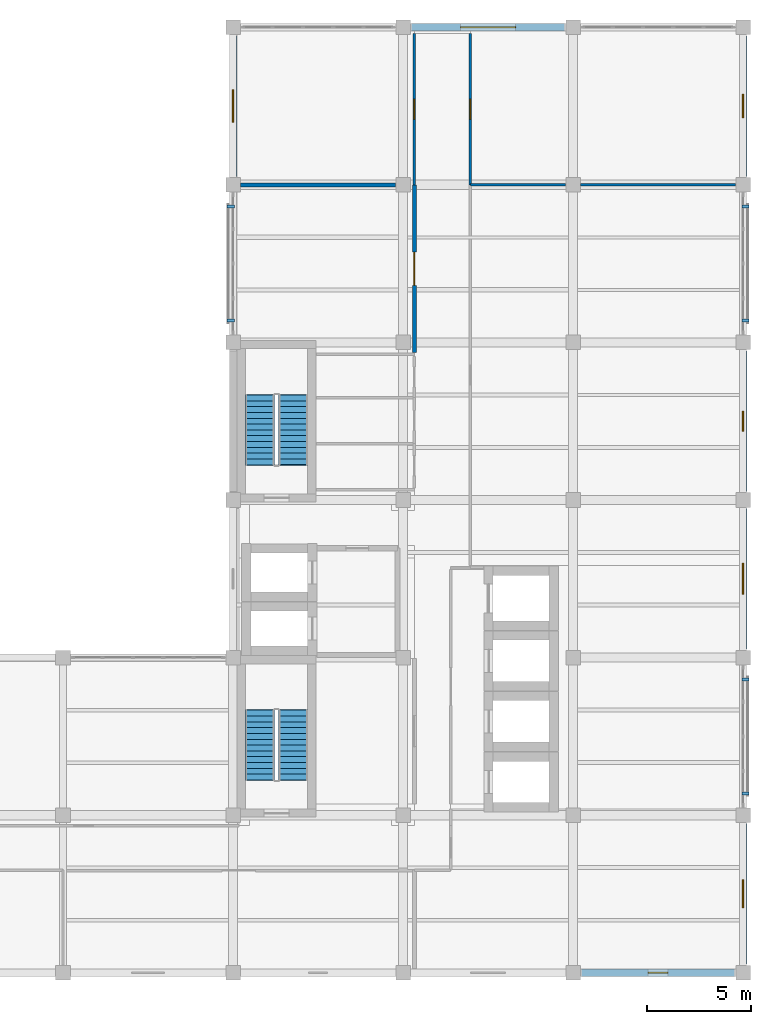
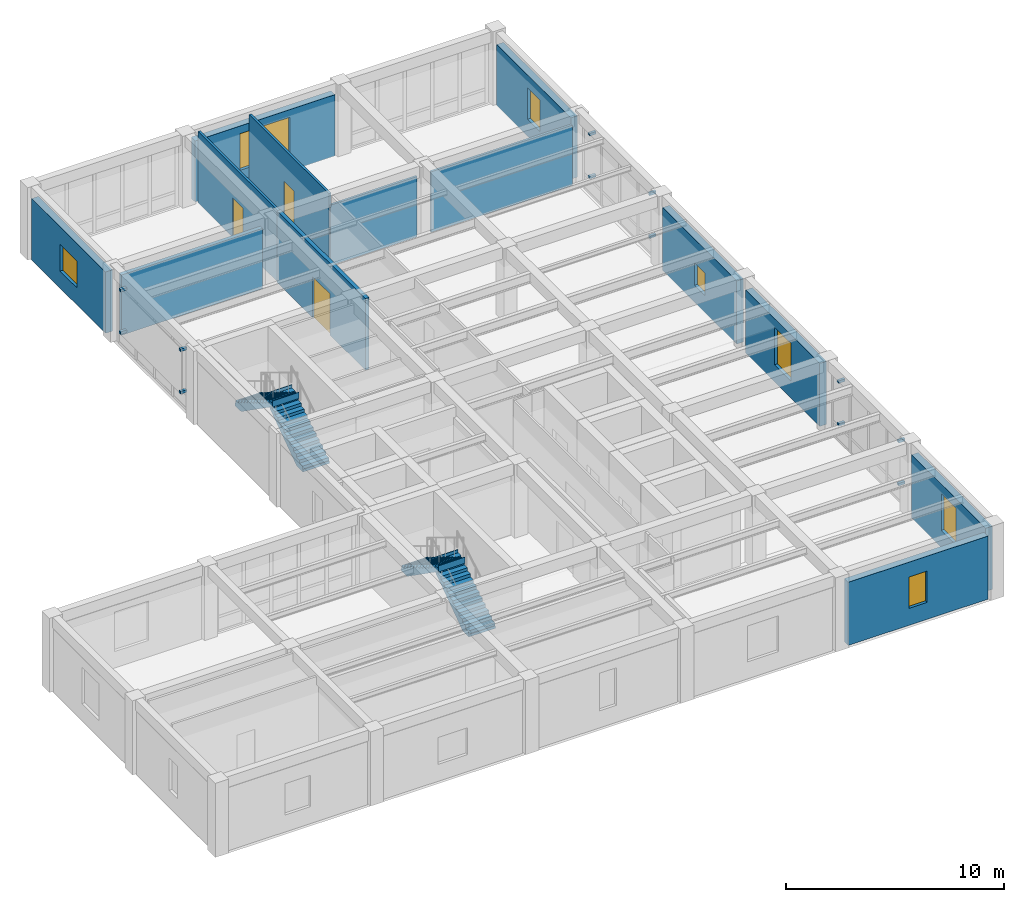
# One storey, part 9 of 13: 13 walls, 12 discrete accessories, 7 windows, 4 stair flights, 3 doors, 10 openings, 2 elements without a shape of their own.
"""IFC4 building model written with IfcOpenShell, lengths in metres."""

from ifc_helpers import new_model, si_unit, direction, frame, frame_2d, origin, origin_2d, place, context, subcontext, project, spatial, polyline, rectangle, outline, extrude, material, layer, layer_set, type_object, element, fill, aggregate, save


model = new_model("IFC4")

# Units and contexts
model_context = context("Model", 3, precision=1e-05, world=origin(), true_north=direction((0.0, 1.0)))
body_context = subcontext(model_context, "Body", "Model", "MODEL_VIEW")
ifc_project = project(units=[si_unit("LENGTHUNIT", "METRE"), si_unit("AREAUNIT", "SQUARE_METRE"), si_unit("VOLUMEUNIT", "CUBIC_METRE"), si_unit("PLANEANGLEUNIT", "RADIAN"), si_unit("MASSUNIT", "GRAM", prefix="KILO")], contexts=[model_context])

# Site, building, storey
site_placement = place(None, origin())
site = spatial("IfcSite", under=ifc_project, at=site_placement, CompositionType="ELEMENT")
building_placement = place(site_placement, origin())
building = spatial("IfcBuilding", under=site, at=building_placement, Name="Qandaris Square Conservatory and Botanical Centre", CompositionType="ELEMENT")
storey_placement = place(building_placement, frame((0.0, 0.0, 61.800048828125)))
storey = spatial("IfcBuildingStorey", under=building, at=storey_placement, Name="L14", CompositionType="ELEMENT", Elevation=61.800048828125)

# Wall, opening, window
ifc_material_1 = material(Name="Precast concrete C40/50", Category="concrete")
ifc_layer_1 = layer(ifc_material_1, 0.360107421875)
ifc_layer_set_1 = layer_set([ifc_layer_1], Name="Precast concrete C40/50")
wall_type_1 = type_object("IfcWallType", Name="Architectural Precast Cladding Wall 360mm", PredefinedType="SOLIDWALL", material=ifc_layer_set_1)
wall_1_placement = place(storey_placement, frame((156.010009765625, 16.60009765625, 0.0), z_axis=(0.0, 0.0, 1.0), x_axis=(1.0, 0.0, 0.0)))
wall_1 = element("IfcWall", 1, at=wall_1_placement, inside=storey, type_object=wall_type_1, Name="Exterior Wall EW-TWR-L14-1-5", PredefinedType="SOLIDWALL", context=body_context, shape_type="SweptSolid", body=[
    extrude(rectangle(XDim=7.3798828125, YDim=0.360107421875, at=frame_2d((3.68994140625, 0.0))), origin(), (0.0, 0.0, 1.0), 3.530029296875),
])
opening_1_placement = place(wall_1_placement, frame((3.215087890625, 0.0, 0.949951171875)))
opening_1 = element("IfcOpeningElement", 2, at=opening_1_placement, cuts=wall_1, Name="Opening WN-15", PredefinedType="OPENING", context=body_context, shape_type="SweptSolid", body=[
    extrude(rectangle(XDim=0.949951171875, YDim=1.75, at=frame_2d((0.47509765625, 0.875))), frame((0.0, 0.19189453125, 0.0), z_axis=(0.0, -1.0, 0.0), x_axis=(1.0, 0.0, 0.0)), (0.0, 0.0, 1.0), 0.384033203125),
])
ifc_material_2 = material(Name="Tempered Low-E Glass", Category="glass")
window_type_1 = type_object("IfcWindowType", Name="Solar Control Window 950x1750", PartitioningType="SINGLE_PANEL", PredefinedType="WINDOW", material=ifc_material_2)
window_1_placement = place(opening_1_placement, origin())
window_1 = element("IfcWindow", 3, at=window_1_placement, inside=storey, type_object=window_type_1, Name="Window EW-TWR-L14-1-5", OverallHeight=1.75, OverallWidth=0.949951171875, PartitioningType="SINGLE_PANEL", PredefinedType="WINDOW", context=body_context, shape_type="SweptSolid", body=[
    extrude(rectangle(XDim=0.949951171875, YDim=1.75, at=frame_2d((0.47509765625, 0.875))), frame((0.0, 0.030029296875, 0.0), z_axis=(0.0, -1.0, 0.0), x_axis=(1.0, 0.0, 0.0)), (0.0, 0.0, 1.0), 0.06005859375),
])
fill(opening_1, window_1)

wall_2_placement = place(storey_placement, frame((163.800048828125, 17.010009765625, 0.0), z_axis=(0.0, 0.0, 1.0), x_axis=(0.0, 1.0, 0.0)))
wall_2 = element("IfcWall", 4, at=wall_2_placement, inside=storey, type_object=wall_type_1, Name="Exterior Wall EW-TWR-L14-2-1", PredefinedType="SOLIDWALL", context=body_context, shape_type="SweptSolid", body=[
    extrude(rectangle(XDim=6.780029296875, YDim=0.360107421875, at=frame_2d((3.39013671875, 0.0))), origin(), (0.0, 0.0, 1.0), 3.530029296875),
])
opening_2_placement = place(wall_2_placement, frame((2.715087890625, 0.0, 0.949951171875)))
opening_2 = element("IfcOpeningElement", 5, at=opening_2_placement, cuts=wall_2, Name="Opening WN-24", PredefinedType="OPENING", context=body_context, shape_type="SweptSolid", body=[
    extrude(rectangle(XDim=1.35009765625, YDim=2.050048828125, at=frame_2d((0.675048828125, 1.02490234375))), frame((0.0, 0.19189453125, 0.0), z_axis=(0.0, -1.0, 0.0), x_axis=(1.0, 0.0, 0.0)), (0.0, 0.0, 1.0), 0.384033203125),
])
window_type_2 = type_object("IfcWindowType", Name="Solar Control Window 1350x2050", PartitioningType="SINGLE_PANEL", PredefinedType="WINDOW", material=ifc_material_2)
window_2_placement = place(opening_2_placement, origin())
window_2 = element("IfcWindow", 6, at=window_2_placement, inside=storey, type_object=window_type_2, Name="Window EW-TWR-L14-2-1", OverallHeight=2.050048828125, OverallWidth=1.35009765625, PartitioningType="SINGLE_PANEL", PredefinedType="WINDOW", context=body_context, shape_type="SweptSolid", body=[
    extrude(rectangle(XDim=1.35009765625, YDim=2.050048828125, at=frame_2d((0.675048828125, 1.02490234375))), frame((0.0, 0.030029296875, 0.0), z_axis=(0.0, -1.0, 0.0), x_axis=(1.0, 0.0, 0.0)), (0.0, 0.0, 1.0), 0.06005859375),
])
fill(opening_2, window_2)

wall_3_placement = place(storey_placement, frame((163.800048828125, 32.2099609375, 0.0), z_axis=(0.0, 0.0, 1.0), x_axis=(0.0, 1.0, 0.0)))
wall_3 = element("IfcWall", 7, at=wall_3_placement, inside=storey, type_object=wall_type_1, Name="Exterior Wall EW-TWR-L14-2-3", PredefinedType="SOLIDWALL", context=body_context, shape_type="SweptSolid", body=[
    extrude(rectangle(XDim=6.780029296875, YDim=0.360107421875, at=frame_2d((3.39013671875, 0.0))), origin(), (0.0, 0.0, 1.0), 3.530029296875),
])
opening_3_placement = place(wall_3_placement, frame((2.639892578125, 0.0, 0.949951171875)))
opening_3 = element("IfcOpeningElement", 8, at=opening_3_placement, cuts=wall_3, Name="Opening WN-02", PredefinedType="OPENING", context=body_context, shape_type="SweptSolid", body=[
    extrude(rectangle(XDim=1.5, YDim=2.10009765625, at=frame_2d((0.75, 1.050048828125))), frame((0.0, 0.19189453125, 0.0), z_axis=(0.0, -1.0, 0.0), x_axis=(1.0, 0.0, 0.0)), (0.0, 0.0, 1.0), 0.384033203125),
])
window_type_3 = type_object("IfcWindowType", Name="Deep-Set Paired Research Window 1500x2100", PartitioningType="DOUBLE_PANEL_VERTICAL", PredefinedType="WINDOW", material=ifc_material_2)
window_3_placement = place(opening_3_placement, origin())
window_3 = element("IfcWindow", 9, at=window_3_placement, inside=storey, type_object=window_type_3, Name="Window EW-TWR-L14-2-3", OverallHeight=2.10009765625, OverallWidth=1.5, PartitioningType="DOUBLE_PANEL_VERTICAL", PredefinedType="WINDOW", context=body_context, shape_type="SweptSolid", body=[
    extrude(rectangle(XDim=1.5, YDim=2.10009765625, at=frame_2d((0.75, 1.050048828125))), frame((0.0, 0.030029296875, 0.0), z_axis=(0.0, -1.0, 0.0), x_axis=(1.0, 0.0, 0.0)), (0.0, 0.0, 1.0), 0.06005859375),
])
fill(opening_3, window_3)

wall_4_placement = place(storey_placement, frame((163.800048828125, 39.81005859375, 0.0), z_axis=(0.0, 0.0, 1.0), x_axis=(0.0, 1.0, 0.0)))
wall_4 = element("IfcWall", 10, at=wall_4_placement, inside=storey, type_object=wall_type_1, Name="Exterior Wall EW-TWR-L14-2-4", PredefinedType="SOLIDWALL", context=body_context, shape_type="SweptSolid", body=[
    extrude(rectangle(XDim=6.780029296875, YDim=0.360107421875, at=frame_2d((3.39013671875, 0.0))), origin(), (0.0, 0.0, 1.0), 3.530029296875),
])
opening_4_placement = place(wall_4_placement, frame((2.9150390625, 0.0, 0.949951171875)))
opening_4 = element("IfcOpeningElement", 11, at=opening_4_placement, cuts=wall_4, Name="Opening WN-13", PredefinedType="OPENING", context=body_context, shape_type="SweptSolid", body=[
    extrude(rectangle(XDim=0.949951171875, YDim=1.25, at=frame_2d((0.47509765625, 0.625))), frame((0.0, 0.19189453125, 0.0), z_axis=(0.0, -1.0, 0.0), x_axis=(1.0, 0.0, 0.0)), (0.0, 0.0, 1.0), 0.384033203125),
])
window_type_4 = type_object("IfcWindowType", Name="Solar Control Window 950x1250", PartitioningType="SINGLE_PANEL", PredefinedType="WINDOW", material=ifc_material_2)
window_4_placement = place(opening_4_placement, origin())
window_4 = element("IfcWindow", 12, at=window_4_placement, inside=storey, type_object=window_type_4, Name="Window EW-TWR-L14-2-4", OverallHeight=1.25, OverallWidth=0.949951171875, PartitioningType="SINGLE_PANEL", PredefinedType="WINDOW", context=body_context, shape_type="SweptSolid", body=[
    extrude(rectangle(XDim=0.949951171875, YDim=1.25, at=frame_2d((0.47509765625, 0.625))), frame((0.0, 0.030029296875, 0.0), z_axis=(0.0, -1.0, 0.0), x_axis=(1.0, 0.0, 0.0)), (0.0, 0.0, 1.0), 0.06005859375),
])
fill(opening_4, window_4)

wall_5_placement = place(storey_placement, frame((163.800048828125, 55.010009765625, 0.0), z_axis=(0.0, 0.0, 1.0), x_axis=(0.0, 1.0, 0.0)))
wall_5 = element("IfcWall", 13, at=wall_5_placement, inside=storey, type_object=wall_type_1, Name="Exterior Wall EW-TWR-L14-2-6", PredefinedType="SOLIDWALL", context=body_context, shape_type="SweptSolid", body=[
    extrude(rectangle(XDim=6.780029296875, YDim=0.360107421875, at=frame_2d((3.39013671875, 0.0))), origin(), (0.0, 0.0, 1.0), 3.425048828125),
])
opening_5_placement = place(wall_5_placement, frame((2.81494140625, 0.0, 0.949951171875)))
opening_5 = element("IfcOpeningElement", 14, at=opening_5_placement, cuts=wall_5, Name="Opening WN-19", PredefinedType="OPENING", context=body_context, shape_type="SweptSolid", body=[
    extrude(rectangle(XDim=1.14990234375, YDim=1.75, at=frame_2d((0.574951171875, 0.875))), frame((0.0, 0.19189453125, 0.0), z_axis=(0.0, -1.0, 0.0), x_axis=(1.0, 0.0, 0.0)), (0.0, 0.0, 1.0), 0.384033203125),
])
window_type_5 = type_object("IfcWindowType", Name="Solar Control Window 1150x1750", PartitioningType="SINGLE_PANEL", PredefinedType="WINDOW", material=ifc_material_2)
window_5_placement = place(opening_5_placement, origin())
window_5 = element("IfcWindow", 15, at=window_5_placement, inside=storey, type_object=window_type_5, Name="Window EW-TWR-L14-2-6", OverallHeight=1.75, OverallWidth=1.14990234375, PartitioningType="SINGLE_PANEL", PredefinedType="WINDOW", context=body_context, shape_type="SweptSolid", body=[
    extrude(rectangle(XDim=1.14990234375, YDim=1.75, at=frame_2d((0.574951171875, 0.875))), frame((0.0, 0.030029296875, 0.0), z_axis=(0.0, -1.0, 0.0), x_axis=(1.0, 0.0, 0.0)), (0.0, 0.0, 1.0), 0.06005859375),
])
fill(opening_5, window_5)

wall_6_placement = place(storey_placement, frame((155.18994140625, 62.199951171875, 0.0), z_axis=(0.0, 0.0, 1.0), x_axis=(-1.0, 0.0, 0.0)))
wall_6 = element("IfcWall", 16, at=wall_6_placement, inside=storey, type_object=wall_type_1, Name="Exterior Wall EW-TWR-L14-3-2", PredefinedType="SOLIDWALL", context=body_context, shape_type="SweptSolid", body=[
    extrude(rectangle(XDim=7.3798828125, YDim=0.360107421875, at=frame_2d((3.68994140625, 0.0))), origin(), (0.0, 0.0, 1.0), 3.425048828125),
])
opening_6_placement = place(wall_6_placement, frame((2.364990234375, 0.0, 0.949951171875)))
opening_6 = element("IfcOpeningElement", 17, at=opening_6_placement, cuts=wall_6, Name="Opening WN-44", PredefinedType="OPENING", context=body_context, shape_type="SweptSolid", body=[
    extrude(rectangle(XDim=2.64990234375, YDim=2.050048828125, at=frame_2d((1.324951171875, 1.02490234375))), frame((0.0, 0.19189453125, 0.0), z_axis=(0.0, -1.0, 0.0), x_axis=(1.0, 0.0, 0.0)), (0.0, 0.0, 1.0), 0.384033203125),
])
window_type_6 = type_object("IfcWindowType", Name="Solar Control Window 2650x2050", PartitioningType="DOUBLE_PANEL_VERTICAL", PredefinedType="WINDOW", material=ifc_material_2)
window_6_placement = place(opening_6_placement, origin())
window_6 = element("IfcWindow", 18, at=window_6_placement, inside=storey, type_object=window_type_6, Name="Window EW-TWR-L14-3-2", OverallHeight=2.050048828125, OverallWidth=2.64990234375, PartitioningType="DOUBLE_PANEL_VERTICAL", PredefinedType="WINDOW", context=body_context, shape_type="SweptSolid", body=[
    extrude(rectangle(XDim=2.64990234375, YDim=2.050048828125, at=frame_2d((1.324951171875, 1.02490234375))), frame((0.0, 0.030029296875, 0.0), z_axis=(0.0, -1.0, 0.0), x_axis=(1.0, 0.0, 0.0)), (0.0, 0.0, 1.0), 0.06005859375),
])
fill(opening_6, window_6)

wall_7_placement = place(storey_placement, frame((139.199951171875, 61.7900390625, 0.0), z_axis=(0.0, 0.0, 1.0), x_axis=(0.0, -1.0, 0.0)))
wall_7 = element("IfcWall", 19, at=wall_7_placement, inside=storey, type_object=wall_type_1, Name="Exterior Wall EW-TWR-L14-4-1", PredefinedType="SOLIDWALL", context=body_context, shape_type="SweptSolid", body=[
    extrude(rectangle(XDim=6.780029296875, YDim=0.360107421875, at=frame_2d((3.39013671875, 0.0))), origin(), (0.0, 0.0, 1.0), 3.425048828125),
])
opening_7_placement = place(wall_7_placement, frame((2.614990234375, 0.0, 0.949951171875)))
opening_7 = element("IfcOpeningElement", 20, at=opening_7_placement, cuts=wall_7, Name="Opening WN-26", PredefinedType="OPENING", context=body_context, shape_type="SweptSolid", body=[
    extrude(rectangle(XDim=1.550048828125, YDim=1.5, at=frame_2d((0.77490234375, 0.75))), frame((0.0, 0.19189453125, 0.0), z_axis=(0.0, -1.0, 0.0), x_axis=(1.0, 0.0, 0.0)), (0.0, 0.0, 1.0), 0.384033203125),
])
window_type_7 = type_object("IfcWindowType", Name="Solar Control Window 1550x1500", PartitioningType="DOUBLE_PANEL_VERTICAL", PredefinedType="WINDOW", material=ifc_material_2)
window_7_placement = place(opening_7_placement, origin())
window_7 = element("IfcWindow", 21, at=window_7_placement, inside=storey, type_object=window_type_7, Name="Window EW-TWR-L14-4-1", OverallHeight=1.5, OverallWidth=1.550048828125, PartitioningType="DOUBLE_PANEL_VERTICAL", PredefinedType="WINDOW", context=body_context, shape_type="SweptSolid", body=[
    extrude(rectangle(XDim=1.550048828125, YDim=1.5, at=frame_2d((0.77490234375, 0.75))), frame((0.0, 0.030029296875, 0.0), z_axis=(0.0, -1.0, 0.0), x_axis=(1.0, 0.0, 0.0)), (0.0, 0.0, 1.0), 0.06005859375),
])
fill(opening_7, window_7)

# Wall, opening, door
ifc_material_3 = material(Name="Concrete C40/50", Category="concrete")
ifc_layer_2 = layer(ifc_material_3, 0.199951171875)
ifc_layer_set_2 = layer_set([ifc_layer_2], Name="Concrete C40/50")
wall_type_2 = type_object("IfcWallType", Name="Herbarium & Plant Compartment Wall 200mm", PredefinedType="PARTITIONING", material=ifc_layer_set_2)
wall_8_placement = place(storey_placement, frame((147.949951171875, 46.510009765625, 0.0), z_axis=(0.0, 0.0, 1.0), x_axis=(0.0, 1.0, 0.0)))
wall_8 = element("IfcWall", 22, at=wall_8_placement, inside=storey, type_object=wall_type_2, Name="Interior Partition IW-L14-0455", PredefinedType="PARTITIONING", context=body_context, shape_type="SweptSolid", body=[
    extrude(rectangle(XDim=8.090087890625, YDim=0.199951171875, at=frame_2d((4.044921875, 0.0))), origin(), (0.0, 0.0, 1.0), 4.0048828125),
])
opening_8_placement = place(wall_8_placement, frame((3.2451171875, 0.0, 0.0)))
opening_8 = element("IfcOpeningElement", 23, at=opening_8_placement, cuts=wall_8, Name="Opening D-HRB1", PredefinedType="OPENING", context=body_context, shape_type="SweptSolid", body=[
    extrude(rectangle(XDim=1.60009765625, YDim=2.300048828125, at=frame_2d((0.800048828125, 1.14990234375))), frame((0.0, 0.11181640625, 0.0), z_axis=(0.0, -1.0, 0.0), x_axis=(1.0, 0.0, 0.0)), (0.0, 0.0, 1.0), 0.223876953125),
])
ifc_material_4 = material(Name="Steel S355", Category="steel")
door_type_1 = type_object("IfcDoorType", Name="Herbarium Sealable Specimen Double Door 1600x2300", OperationType="DOUBLE_DOOR_SINGLE_SWING", PredefinedType="DOOR", material=ifc_material_4)
door_1_placement = place(opening_8_placement, origin())
door_1 = element("IfcDoor", 24, at=door_1_placement, inside=storey, type_object=door_type_1, Name="DR-0408 International Herbarium Exchange Specimen Prep Room Door", OperationType="DOUBLE_DOOR_SINGLE_SWING", OverallHeight=2.300048828125, OverallWidth=1.60009765625, PredefinedType="DOOR", context=body_context, shape_type="SweptSolid", body=[
    extrude(rectangle(XDim=1.60009765625, YDim=2.300048828125, at=frame_2d((0.800048828125, 1.14990234375))), frame((0.0, 0.02490234375, 0.0), z_axis=(0.0, -1.0, 0.0), x_axis=(1.0, 0.0, 0.0)), (0.0, 0.0, 1.0), 0.050048828125),
])
fill(opening_8, door_1)

# Wall
wall_9_placement = place(storey_placement, frame((139.570068359375, 54.60009765625, 0.0), z_axis=(0.0, 0.0, 1.0), x_axis=(1.0, 0.0, 0.0)))
element("IfcWall", 25, at=wall_9_placement, inside=storey, type_object=wall_type_2, Name="Interior Partition IW-L14-0463", PredefinedType="PARTITIONING", context=body_context, shape_type="SweptSolid", body=[
    extrude(rectangle(XDim=7.4599609375, YDim=0.199951171875, at=frame_2d((3.72998046875, 0.0))), origin(), (0.0, 0.0, 1.0), 3.375),
])

# Wall, opening, door
ifc_material_5 = material(Name="Gypsum Plasterboard", Category="gypsum")
ifc_layer_3 = layer(ifc_material_5, 0.1201171875)
ifc_layer_set_3 = layer_set([ifc_layer_3], Name="Gypsum Plasterboard")
wall_type_3 = type_object("IfcWallType", Name="Standard Research Partition 120mm", PredefinedType="PARTITIONING", material=ifc_layer_set_3)
wall_10_placement = place(storey_placement, frame((147.949951171875, 54.60009765625, 0.0), z_axis=(0.0, 0.0, 1.0), x_axis=(0.0, 1.0, 0.0)))
wall_10 = element("IfcWall", 26, at=wall_10_placement, inside=storey, type_object=wall_type_3, Name="Interior Partition IW-L14-0456", PredefinedType="PARTITIONING", context=body_context, shape_type="SweptSolid", body=[
    extrude(rectangle(XDim=7.2998046875, YDim=0.1201171875, at=frame_2d((3.64990234375, 0.0))), origin(), (0.0, 0.0, 1.0), 4.0048828125),
])
opening_9_placement = place(wall_10_placement, frame((3.175048828125, 0.0, 0.0)))
opening_9 = element("IfcOpeningElement", 27, at=opening_9_placement, cuts=wall_10, Name="Opening D-OFF1", PredefinedType="OPENING", context=body_context, shape_type="SweptSolid", body=[
    extrude(rectangle(XDim=0.949951171875, YDim=2.199951171875, at=frame_2d((0.47509765625, 1.10009765625))), frame((0.0, 0.072021484375, 0.0), z_axis=(0.0, -1.0, 0.0), x_axis=(1.0, 0.0, 0.0)), (0.0, 0.0, 1.0), 0.14404296875),
])
ifc_material_6 = material(Name="Engineered Oak Timber", Category="wood")
door_type_2 = type_object("IfcDoorType", Name="Research Office Acoustic Door 950x2200", OperationType="NOTDEFINED", PredefinedType="DOOR", material=ifc_material_6)
door_2_placement = place(opening_9_placement, frame((0.949951171875, 0.0, 0.0), z_axis=(0.0, 0.0, 1.0), x_axis=(-1.0, 0.0, 0.0)))
door_2 = element("IfcDoor", 28, at=door_2_placement, inside=storey, type_object=door_type_2, Name="DR-0412 Directorate Collaborative Seminar Room Door", OperationType="SINGLE_SWING_RIGHT", OverallHeight=2.199951171875, OverallWidth=0.949951171875, PredefinedType="DOOR", context=body_context, shape_type="SweptSolid", body=[
    extrude(rectangle(XDim=0.949951171875, YDim=2.199951171875, at=frame_2d((0.47509765625, 1.10009765625))), frame((0.0, 0.02490234375, 0.0), z_axis=(0.0, -1.0, 0.0), x_axis=(1.0, 0.0, 0.0)), (0.0, 0.0, 1.0), 0.050048828125),
])
fill(opening_9, door_2)

wall_11_placement = place(storey_placement, frame((150.64990234375, 61.89990234375, 0.0), z_axis=(0.0, 0.0, 1.0), x_axis=(0.0, -1.0, 0.0)))
wall_11 = element("IfcWall", 29, at=wall_11_placement, inside=storey, type_object=wall_type_3, Name="Interior Partition IW-L14-0457", PredefinedType="PARTITIONING", context=body_context, shape_type="SweptSolid", body=[
    extrude(rectangle(XDim=7.2998046875, YDim=0.1201171875, at=frame_2d((3.64990234375, 0.0))), origin(), (0.0, 0.0, 1.0), 4.0048828125),
])
opening_10_placement = place(wall_11_placement, frame((3.175048828125, 0.0, 0.0)))
opening_10 = element("IfcOpeningElement", 30, at=opening_10_placement, cuts=wall_11, Name="Opening D-OFF1", PredefinedType="OPENING", context=body_context, shape_type="SweptSolid", body=[
    extrude(rectangle(XDim=0.949951171875, YDim=2.199951171875, at=frame_2d((0.47509765625, 1.10009765625))), frame((0.0, 0.072021484375, 0.0), z_axis=(0.0, -1.0, 0.0), x_axis=(1.0, 0.0, 0.0)), (0.0, 0.0, 1.0), 0.14404296875),
])
door_3_placement = place(opening_10_placement, origin())
door_3 = element("IfcDoor", 31, at=door_3_placement, inside=storey, type_object=door_type_2, Name="DR-0413 Floor L14 Staff Write-Up Lounge Door", OperationType="SINGLE_SWING_LEFT", OverallHeight=2.199951171875, OverallWidth=0.949951171875, PredefinedType="DOOR", context=body_context, shape_type="SweptSolid", body=[
    extrude(rectangle(XDim=0.949951171875, YDim=2.199951171875, at=frame_2d((0.47509765625, 1.10009765625))), frame((0.0, 0.02490234375, 0.0), z_axis=(0.0, -1.0, 0.0), x_axis=(1.0, 0.0, 0.0)), (0.0, 0.0, 1.0), 0.050048828125),
])
fill(opening_10, door_3)

# Walls
wall_12_placement = place(storey_placement, frame((150.64990234375, 54.60009765625, 0.0), z_axis=(0.0, 0.0, 1.0), x_axis=(1.0, 0.0, 0.0)))
element("IfcWall", 32, at=wall_12_placement, inside=storey, type_object=wall_type_3, Name="Interior Partition IW-L14-0461", PredefinedType="PARTITIONING", context=body_context, shape_type="SweptSolid", body=[
    extrude(rectangle(XDim=4.580078125, YDim=0.1201171875, at=frame_2d((2.2900390625, 0.0))), origin(), (0.0, 0.0, 1.0), 3.375),
])
wall_13_placement = place(storey_placement, frame((155.969970703125, 54.60009765625, 0.0), z_axis=(0.0, 0.0, 1.0), x_axis=(1.0, 0.0, 0.0)))
element("IfcWall", 33, at=wall_13_placement, inside=storey, type_object=wall_type_3, Name="Interior Partition IW-L14-0462", PredefinedType="PARTITIONING", context=body_context, shape_type="SweptSolid", body=[
    extrude(rectangle(XDim=7.4599609375, YDim=0.1201171875, at=frame_2d((3.72998046875, 0.0))), origin(), (0.0, 0.0, 1.0), 3.375),
])

# Stair, stair flights
stair_type = type_object("IfcStairType", Name="Core Escape Scissor Stair", PredefinedType="HALF_TURN_STAIR", material=ifc_material_3)
stair_1_placement = place(storey_placement, origin())
stair_1 = element("IfcStair", 34, at=stair_1_placement, inside=storey, type_object=stair_type, Name="L14 Tower South Exit Stair ST-1", PredefinedType="HALF_TURN_STAIR")
stair_flight_type = type_object("IfcStairFlightType", Name="RC Precast Stair Flight 1400mm", PredefinedType="STRAIGHT", material=ifc_material_1)
stair_flight_1_placement = place(storey_placement, frame((142.10009765625, 25.89990234375, 0.0), z_axis=(0.0, 0.0, 1.0), x_axis=(0.0, 1.0, 0.0)))
stair_flight_1 = element("IfcStairFlight", 35, at=stair_flight_1_placement, type_object=stair_flight_type, Name="ST-1 flight 1", NumberOfRisers=13, NumberOfTreads=12, PredefinedType="STRAIGHT", RiserHeight=0.169230769, TreadLength=0.28, context=body_context, shape_type="SweptSolid", body=[
    extrude(outline(polyline([(-0.034912109375, 0.0), (0.0, 0.0), (0.0, 0.169189453125), (0.280029296875, 0.169189453125), (0.280029296875, 0.33837890625), (0.56005859375, 0.33837890625), (0.56005859375, 0.5078125), (0.840087890625, 0.5078125), (0.840087890625, 0.677001953125), (1.1201171875, 0.677001953125), (1.1201171875, 0.84619140625), (1.39990234375, 0.84619140625), (1.39990234375, 1.015380859375), (1.679931640625, 1.015380859375), (1.679931640625, 1.1845703125), (1.9599609375, 1.1845703125), (1.9599609375, 1.353759765625), (2.239990234375, 1.353759765625), (2.239990234375, 1.523193359375), (2.52001953125, 1.523193359375), (2.52001953125, 1.6923828125), (2.800048828125, 1.6923828125), (2.800048828125, 1.861572265625), (3.080078125, 1.861572265625), (3.080078125, 2.03076171875), (3.360107421875, 2.03076171875), (3.360107421875, 2.199951171875), (3.39501953125, 2.199951171875), (3.39501953125, 1.855712890625), (3.360107421875, 1.855712890625), (0.521484375, -0.139892578125), (-0.034912109375, -0.139892578125), (-0.034912109375, 0.0)])), frame((0.0, 0.699951171875, 0.0), z_axis=(0.0, -1.0, 0.0), x_axis=(1.0, 0.0, 0.0)), (0.0, 0.0, 1.0), 1.39990234375),
])
stair_flight_2_placement = place(storey_placement, frame((140.5, 29.260009765625, 2.199951171875), z_axis=(0.0, 0.0, 1.0), x_axis=(0.0, -1.0, 0.0)))
stair_flight_2 = element("IfcStairFlight", 36, at=stair_flight_2_placement, type_object=stair_flight_type, Name="ST-1 flight 2", NumberOfRisers=13, NumberOfTreads=12, PredefinedType="STRAIGHT", RiserHeight=0.169230769, TreadLength=0.28, context=body_context, shape_type="SweptSolid", body=[
    extrude(outline(polyline([(-0.034912109375, 0.0), (0.0, 0.0), (0.0, 0.169189453125), (0.280029296875, 0.169189453125), (0.280029296875, 0.33837890625), (0.56005859375, 0.33837890625), (0.56005859375, 0.5078125), (0.840087890625, 0.5078125), (0.840087890625, 0.677001953125), (1.1201171875, 0.677001953125), (1.1201171875, 0.84619140625), (1.39990234375, 0.84619140625), (1.39990234375, 1.015380859375), (1.679931640625, 1.015380859375), (1.679931640625, 1.1845703125), (1.9599609375, 1.1845703125), (1.9599609375, 1.353759765625), (2.239990234375, 1.353759765625), (2.239990234375, 1.523193359375), (2.52001953125, 1.523193359375), (2.52001953125, 1.6923828125), (2.800048828125, 1.6923828125), (2.800048828125, 1.861572265625), (3.080078125, 1.861572265625), (3.080078125, 2.03076171875), (3.360107421875, 2.03076171875), (3.360107421875, 2.199951171875), (3.39501953125, 2.199951171875), (3.39501953125, 1.855712890625), (3.360107421875, 1.855712890625), (0.521484375, -0.139892578125), (-0.034912109375, -0.139892578125), (-0.034912109375, 0.0)])), frame((0.0, 0.699951171875, 0.0), z_axis=(0.0, -1.0, 0.0), x_axis=(1.0, 0.0, 0.0)), (0.0, 0.0, 1.0), 1.39990234375),
])
aggregate(stair_1, [stair_flight_1, stair_flight_2])

stair_2_placement = place(storey_placement, origin())
stair_2 = element("IfcStair", 37, at=stair_2_placement, inside=storey, type_object=stair_type, Name="L14 Tower North Exit Stair ST-2", PredefinedType="HALF_TURN_STAIR")
stair_flight_3_placement = place(storey_placement, frame((142.10009765625, 41.10009765625, 0.0), z_axis=(0.0, 0.0, 1.0), x_axis=(0.0, 1.0, 0.0)))
stair_flight_3 = element("IfcStairFlight", 38, at=stair_flight_3_placement, type_object=stair_flight_type, Name="ST-2 flight 1", NumberOfRisers=13, NumberOfTreads=12, PredefinedType="STRAIGHT", RiserHeight=0.169230769, TreadLength=0.28, context=body_context, shape_type="SweptSolid", body=[
    extrude(outline(polyline([(-0.034912109375, 0.0), (0.0, 0.0), (0.0, 0.169189453125), (0.280029296875, 0.169189453125), (0.280029296875, 0.33837890625), (0.56005859375, 0.33837890625), (0.56005859375, 0.5078125), (0.840087890625, 0.5078125), (0.840087890625, 0.677001953125), (1.1201171875, 0.677001953125), (1.1201171875, 0.84619140625), (1.39990234375, 0.84619140625), (1.39990234375, 1.015380859375), (1.679931640625, 1.015380859375), (1.679931640625, 1.1845703125), (1.9599609375, 1.1845703125), (1.9599609375, 1.353759765625), (2.239990234375, 1.353759765625), (2.239990234375, 1.523193359375), (2.52001953125, 1.523193359375), (2.52001953125, 1.6923828125), (2.800048828125, 1.6923828125), (2.800048828125, 1.861572265625), (3.080078125, 1.861572265625), (3.080078125, 2.03076171875), (3.360107421875, 2.03076171875), (3.360107421875, 2.199951171875), (3.39501953125, 2.199951171875), (3.39501953125, 1.855712890625), (3.360107421875, 1.855712890625), (0.521484375, -0.139892578125), (-0.034912109375, -0.139892578125), (-0.034912109375, 0.0)])), frame((0.0, 0.699951171875, 0.0), z_axis=(0.0, -1.0, 0.0), x_axis=(1.0, 0.0, 0.0)), (0.0, 0.0, 1.0), 1.39990234375),
])
stair_flight_4_placement = place(storey_placement, frame((140.5, 44.4599609375, 2.199951171875), z_axis=(0.0, 0.0, 1.0), x_axis=(0.0, -1.0, 0.0)))
stair_flight_4 = element("IfcStairFlight", 39, at=stair_flight_4_placement, type_object=stair_flight_type, Name="ST-2 flight 2", NumberOfRisers=13, NumberOfTreads=12, PredefinedType="STRAIGHT", RiserHeight=0.169230769, TreadLength=0.28, context=body_context, shape_type="SweptSolid", body=[
    extrude(outline(polyline([(-0.034912109375, 0.0), (0.0, 0.0), (0.0, 0.169189453125), (0.280029296875, 0.169189453125), (0.280029296875, 0.33837890625), (0.56005859375, 0.33837890625), (0.56005859375, 0.5078125), (0.840087890625, 0.5078125), (0.840087890625, 0.677001953125), (1.1201171875, 0.677001953125), (1.1201171875, 0.84619140625), (1.39990234375, 0.84619140625), (1.39990234375, 1.015380859375), (1.679931640625, 1.015380859375), (1.679931640625, 1.1845703125), (1.9599609375, 1.1845703125), (1.9599609375, 1.353759765625), (2.239990234375, 1.353759765625), (2.239990234375, 1.523193359375), (2.52001953125, 1.523193359375), (2.52001953125, 1.6923828125), (2.800048828125, 1.6923828125), (2.800048828125, 1.861572265625), (3.080078125, 1.861572265625), (3.080078125, 2.03076171875), (3.360107421875, 2.03076171875), (3.360107421875, 2.199951171875), (3.39501953125, 2.199951171875), (3.39501953125, 1.855712890625), (3.360107421875, 1.855712890625), (0.521484375, -0.139892578125), (-0.034912109375, -0.139892578125), (-0.034912109375, 0.0)])), frame((0.0, 0.699951171875, 0.0), z_axis=(0.0, -1.0, 0.0), x_axis=(1.0, 0.0, 0.0)), (0.0, 0.0, 1.0), 1.39990234375),
])
aggregate(stair_2, [stair_flight_3, stair_flight_4])

# Discrete accessories
discrete_accessory_type = type_object("IfcDiscreteAccessoryType", Name="Mashrabiya Support Outrigger Bracket", PredefinedType="BRACKET", material=ifc_material_4)
for number, where, z_axis, x_axis, name in (
    (40, (163.909912109375, 25.25, 0.89990234375), (0.0, 0.0, 1.0), (0.0, 1.0, 0.0), "Mashrabiya Bracket CW-TWR-L14-2-2-BRK-6-628"),
    (41, (163.909912109375, 25.25, 3.294921875), (0.0, 0.0, 1.0), (0.0, 1.0, 0.0), "Mashrabiya Bracket CW-TWR-L14-2-2-BRK-6-652"),
    (42, (163.909912109375, 30.75, 0.89990234375), (0.0, 0.0, 1.0), (0.0, 1.0, 0.0), "Mashrabiya Bracket CW-TWR-L14-2-2-BRK-61-628"),
    (43, (163.909912109375, 30.75, 3.294921875), (0.0, 0.0, 1.0), (0.0, 1.0, 0.0), "Mashrabiya Bracket CW-TWR-L14-2-2-BRK-61-652"),
    (44, (163.909912109375, 48.050048828125, 0.89990234375), (0.0, 0.0, 1.0), (0.0, 1.0, 0.0), "Mashrabiya Bracket CW-TWR-L14-2-5-BRK-6-628"),
    (45, (163.909912109375, 48.050048828125, 3.294921875), (0.0, 0.0, 1.0), (0.0, 1.0, 0.0), "Mashrabiya Bracket CW-TWR-L14-2-5-BRK-6-652"),
    (46, (163.909912109375, 53.550048828125, 0.89990234375), (0.0, 0.0, 1.0), (0.0, 1.0, 0.0), "Mashrabiya Bracket CW-TWR-L14-2-5-BRK-61-628"),
    (47, (163.909912109375, 53.550048828125, 3.294921875), (0.0, 0.0, 1.0), (0.0, 1.0, 0.0), "Mashrabiya Bracket CW-TWR-L14-2-5-BRK-61-652"),
    (48, (139.090087890625, 53.550048828125, 0.892578125), (0.0, 0.0, 1.0), (0.0, -1.0, 0.0), "Mashrabiya Bracket CW-TWR-L14-4-2-BRK-6-628"),
    (49, (139.090087890625, 53.550048828125, 3.259765625), (0.0, 0.0, 1.0), (0.0, -1.0, 0.0), "Mashrabiya Bracket CW-TWR-L14-4-2-BRK-6-651"),
    (50, (139.090087890625, 48.050048828125, 0.892578125), (0.0, 0.0, 1.0), (0.0, -1.0, 0.0), "Mashrabiya Bracket CW-TWR-L14-4-2-BRK-61-628"),
    (51, (139.090087890625, 48.050048828125, 3.259765625), (0.0, 0.0, 1.0), (0.0, -1.0, 0.0), "Mashrabiya Bracket CW-TWR-L14-4-2-BRK-61-651"),
):
    element("IfcDiscreteAccessory", number, at=place(storey_placement, frame(where, z_axis=z_axis, x_axis=x_axis)), inside=storey, type_object=discrete_accessory_type, Name=name, PredefinedType="BRACKET", context=body_context, shape_type="SweptSolid", body=[
        extrude(rectangle(XDim=0.139892578125, YDim=0.340087890625, at=origin_2d()), origin(), (0.0, 0.0, 1.0), 0.139892578125),
    ])

save(model, "model.ifc")
